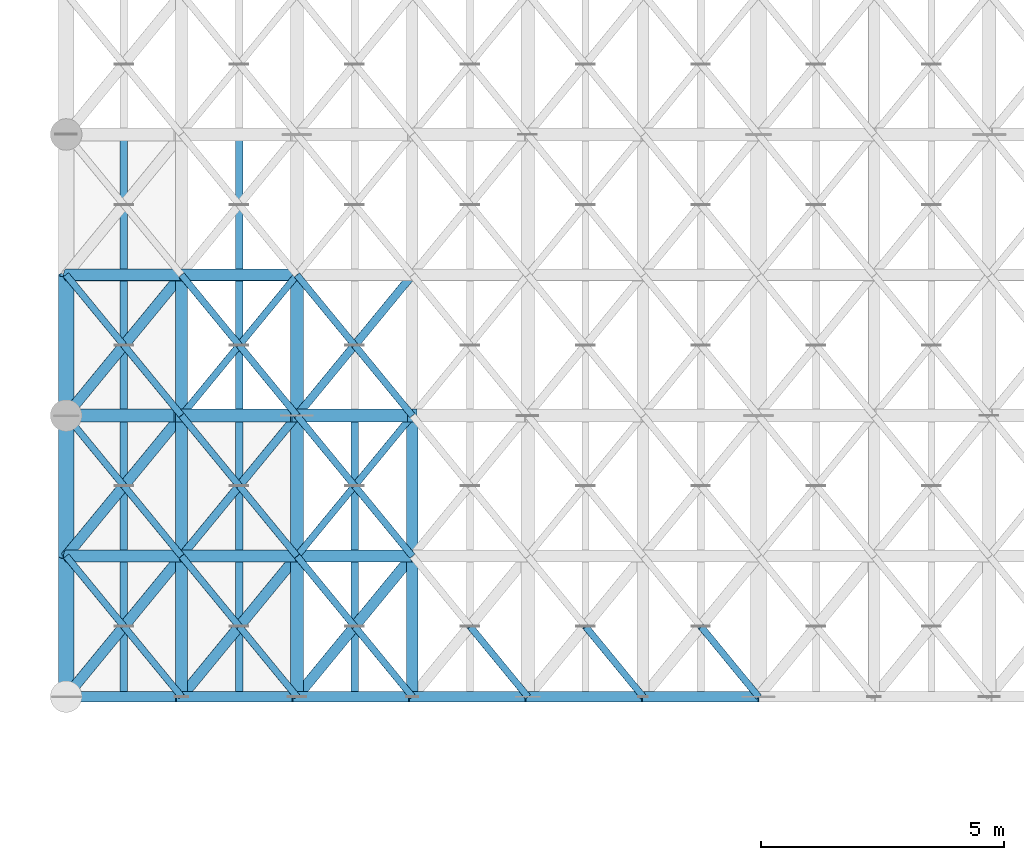
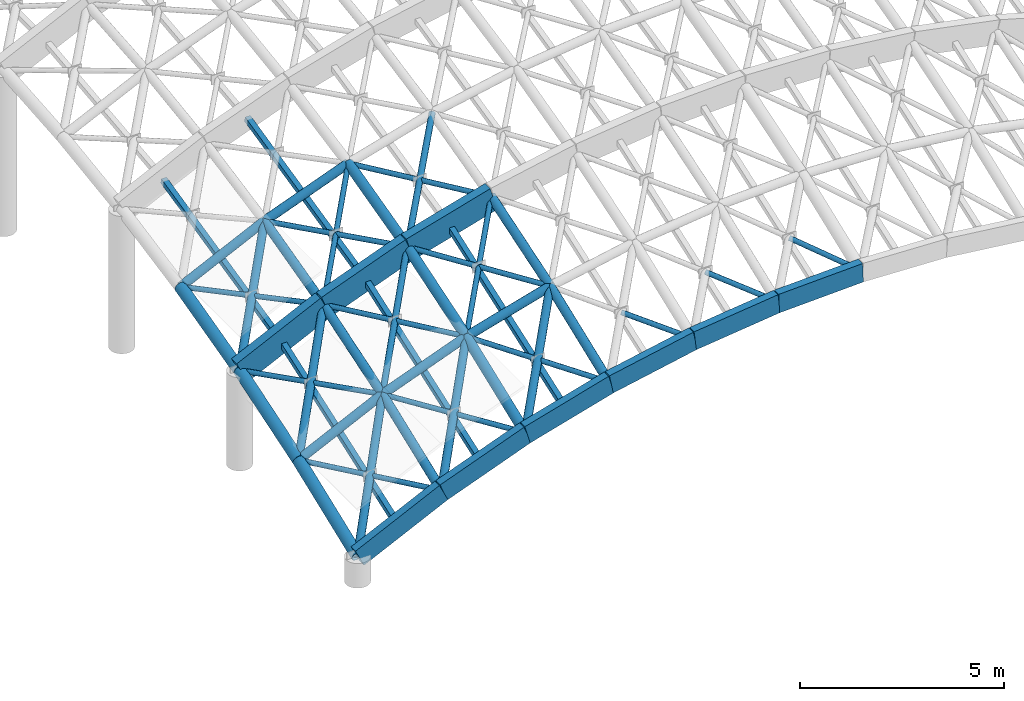
# One storey, part 34 of 146: 51 members, 9 beams.
"""IFC4 building model written with IfcOpenShell, lengths in metres."""

import ifcopenshell
import ifcopenshell.guid

model = None  # the IFC model being written
_history = None  # IfcOwnerHistory: only IFC2X3 demands one
_inside = {}  # id of a spatial element -> (the spatial element, [elements in it])
_under = {}  # id of a project, library or spatial element -> (it, [spatial elements below it])
_declared = {}  # id of a project -> (the project, [libraries it declares])
_typed = {}  # id of a type object -> (the type object, [elements of that type])
_made_of = {}  # id of a material, layer set ... -> (it, [elements and type objects made of it])


def new_model(schema):
    """Start an empty IFC model of exactly this schema.

    Asked for "IFC4X3", IfcOpenShell would pick the latest addendum, in which some entities
    have other attributes; the version numbers below select the first issue.
    IFC2X3 requires an IfcOwnerHistory on every rooted entity: one is made here for all.
    """
    global model, _history
    if schema == "IFC4X3":
        model = ifcopenshell.file(schema_version=(4, 3, 0, 0))
    else:
        model = ifcopenshell.file(schema=schema)
    _inside.clear()
    _under.clear()
    _declared.clear()
    _typed.clear()
    _made_of.clear()
    _history = None
    if model.schema == "IFC2X3":
        org = make("IfcOrganization", Name="unknown")
        user = make(
            "IfcPersonAndOrganization",
            ThePerson=make("IfcPerson", FamilyName="unknown"),
            TheOrganization=org,
        )
        app = make(
            "IfcApplication",
            ApplicationDeveloper=org,
            Version="unknown",
            ApplicationFullName="unknown",
            ApplicationIdentifier="unknown",
        )
        _history = make(
            "IfcOwnerHistory",
            OwningUser=user,
            OwningApplication=app,
            ChangeAction="ADDED",
            CreationDate=0,
        )
    return model


def make(cls, **values):
    """One entity of the class cls with the attributes given. An attribute that is None is left unset."""
    return model.create_entity(
        cls, **{name: value for name, value in values.items() if value is not None}
    )


def rooted(cls, **values):
    """An entity with a GlobalId (a new one), such as an element, a storey or a relation."""
    return make(cls, GlobalId=ifcopenshell.guid.new(), OwnerHistory=_history, **values)


def si_unit(unit_type, name, prefix=None):
    """IfcSIUnit, for example si_unit("LENGTHUNIT", "METRE", prefix="MILLI")."""
    return make("IfcSIUnit", UnitType=unit_type, Prefix=prefix, Name=name)


def assignment(units):
    """IfcUnitAssignment: the units of a project."""
    return None if units is None else make("IfcUnitAssignment", Units=units)


def point(xyz):
    """IfcCartesianPoint."""
    return None if xyz is None else make("IfcCartesianPoint", Coordinates=xyz)


def direction(xyz):
    """IfcDirection."""
    return None if xyz is None else make("IfcDirection", DirectionRatios=xyz)


def frame(location, z_axis=None, x_axis=None):
    """IfcAxis2Placement3D, a coordinate frame: its origin and axes. An axis left out is left unset."""
    return make(
        "IfcAxis2Placement3D",
        Location=point(location),
        Axis=direction(z_axis),
        RefDirection=direction(x_axis),
    )


def frame_2d(location, x_axis=None):
    """IfcAxis2Placement2D, a coordinate frame in the plane: its origin and x axis."""
    return make(
        "IfcAxis2Placement2D", Location=point(location), RefDirection=direction(x_axis)
    )


def origin():
    """The frame at (0, 0, 0) with its axes left unset."""
    return frame((0.0, 0.0, 0.0))


def origin_2d():
    """The frame at (0, 0) in the plane with its x axis left unset."""
    return frame_2d((0.0, 0.0))


def place(relative_to, where):
    """IfcLocalPlacement: puts the frame where relative to a parent placement (None: the world)."""
    return make(
        "IfcLocalPlacement", PlacementRelTo=relative_to, RelativePlacement=where
    )


def context(
    kind, dimensions, precision=None, world=None, true_north=None, identifier=None
):
    """IfcGeometricRepresentationContext, for example the 3D "Model" context."""
    return make(
        "IfcGeometricRepresentationContext",
        ContextIdentifier=identifier,
        ContextType=kind,
        CoordinateSpaceDimension=dimensions,
        Precision=precision,
        WorldCoordinateSystem=world,
        TrueNorth=true_north,
    )


def subcontext(parent, identifier, kind, view, scale=None):
    """IfcGeometricRepresentationSubContext, for example "Body" below "Model"."""
    return make(
        "IfcGeometricRepresentationSubContext",
        ContextIdentifier=identifier,
        ContextType=kind,
        ParentContext=parent,
        TargetScale=scale,
        TargetView=view,
    )


def project(units=None, contexts=None):
    """IfcProject with its units and contexts."""
    return rooted(
        "IfcProject",
        Name="project",
        RepresentationContexts=contexts,
        UnitsInContext=assignment(units),
    )


def spatial(cls, under=None, at=None, **own):
    """A site, building, storey or space (cls), placed at a placement, below another one or the project."""
    s = rooted(cls, ObjectPlacement=at, **own)
    if under is not None:
        _under.setdefault(under.id(), (under, []))[1].append(s)
    return s


def profile(cls, at=None, kind="AREA", **sizes):
    """A parametric profile (cls). Its sizes go by their IFC names, for example OverallWidth=200.0."""
    return make(cls, ProfileType=kind, Position=at, **sizes)


def rectangle(**sizes):
    """IfcRectangleProfileDef."""
    return profile("IfcRectangleProfileDef", **sizes)


def hollow_rectangle(**sizes):
    """IfcRectangleHollowProfileDef."""
    return profile("IfcRectangleHollowProfileDef", **sizes)


def hollow_circle(**sizes):
    """IfcCircleHollowProfileDef."""
    return profile("IfcCircleHollowProfileDef", **sizes)


def extrude(swept, where, along, depth):
    """IfcExtrudedAreaSolid: the profile swept, set in the frame where, extruded along a direction by depth."""
    return make(
        "IfcExtrudedAreaSolid",
        SweptArea=swept,
        Position=where,
        ExtrudedDirection=direction(along),
        Depth=depth,
    )


def shape(context_of_items, identifier, shape_type, items):
    """IfcShapeRepresentation: the items that make up one representation, for example the "Body"."""
    return make(
        "IfcShapeRepresentation",
        ContextOfItems=context_of_items,
        RepresentationIdentifier=identifier,
        RepresentationType=shape_type,
        Items=items,
    )


def material(Name=None, Category=None):
    """IfcMaterial."""
    return make("IfcMaterial", Name=Name, Category=Category)


def material_profile(
    of_material, cross_section, Name=None, Category=None, Priority=None
):
    """IfcMaterialProfile: a cross section and its material."""
    return make(
        "IfcMaterialProfile",
        Name=Name,
        Material=of_material,
        Profile=cross_section,
        Priority=Priority,
        Category=Category,
    )


def profile_set(profiles, Name=None, composite=None):
    """IfcMaterialProfileSet."""
    return make(
        "IfcMaterialProfileSet",
        Name=Name,
        MaterialProfiles=profiles,
        CompositeProfile=composite,
    )


def made_of(thing, what):
    """Note that an element or type object is made of a material, layer set ...; save() writes the relation."""
    if what is not None:
        _made_of.setdefault(what.id(), (what, []))[1].append(thing)
    return thing


def type_object(cls, material=None, **own):
    """A type object (cls), such as IfcWallType, which elements share."""
    return made_of(rooted(cls, **own), material)


def element(
    cls,
    number,
    at=None,
    inside=None,
    cuts=None,
    type_object=None,
    material=None,
    context=None,
    identifier="Body",
    shape_type=None,
    held_by="IfcProductDefinitionShape",
    body=None,
    shapes=None,
    **own,
):
    """One element of the class cls, such as IfcWall. Its Tag is "e" and its number.

    at: its placement. inside: the storey or other place that contains it. cuts: it is an
    opening in that element (IfcRelVoidsElement). A single representation is given by context,
    identifier, shape_type and body (its items); several are given by shapes. held_by: the class
    of the entity that holds the representations. save() writes the other relations.
    """
    e = rooted(cls, Tag="e%d" % number, ObjectPlacement=at, **own)
    if body is not None:
        shapes = [shape(context, identifier, shape_type, body)]
    if shapes is not None:
        e.Representation = make(held_by, Representations=shapes)
    if inside is not None:
        _inside.setdefault(inside.id(), (inside, []))[1].append(e)
    if cuts is not None:
        rooted(
            "IfcRelVoidsElement", RelatingBuildingElement=cuts, RelatedOpeningElement=e
        )
    if type_object is not None:
        _typed.setdefault(type_object.id(), (type_object, []))[1].append(e)
    return made_of(e, material)


def aggregate(whole, parts):
    """IfcRelAggregates: a whole, such as a stair, and the parts it consists of."""
    return rooted("IfcRelAggregates", RelatingObject=whole, RelatedObjects=parts)


def save(model, path):
    """Write the relations noted so far, then the file.

    IfcRelAggregates (storeys below a building ...), IfcRelContainedInSpatialStructure (elements
    in a storey), IfcRelDefinesByType, IfcRelAssociatesMaterial and IfcRelDeclares: one each for
    every whole, place, type object, material and project.
    """
    for whole, parts in _under.values():
        aggregate(whole, parts)
    for where, things in _inside.values():
        rooted(
            "IfcRelContainedInSpatialStructure",
            RelatedElements=things,
            RelatingStructure=where,
        )
    for kind, things in _typed.values():
        rooted("IfcRelDefinesByType", RelatedObjects=things, RelatingType=kind)
    for what, things in _made_of.values():
        rooted("IfcRelAssociatesMaterial", RelatedObjects=things, RelatingMaterial=what)
    for by, libraries in _declared.values():
        rooted("IfcRelDeclares", RelatingContext=by, RelatedDefinitions=libraries)
    model.write(path)


model = new_model("IFC4")

# Units and contexts
model_context = context("Model", 3, precision=1e-05, world=origin(), true_north=direction((0.0, 1.0)))
body_context = subcontext(model_context, "Body", "Model", "MODEL_VIEW")
ifc_project = project(units=[si_unit("LENGTHUNIT", "METRE"), si_unit("AREAUNIT", "SQUARE_METRE"), si_unit("VOLUMEUNIT", "CUBIC_METRE"), si_unit("PLANEANGLEUNIT", "RADIAN"), si_unit("MASSUNIT", "GRAM", prefix="KILO")], contexts=[model_context])

# Site, building, storey
site_placement = place(None, origin())
site = spatial("IfcSite", under=ifc_project, at=site_placement, CompositionType="ELEMENT")
building_placement = place(site_placement, origin())
building = spatial("IfcBuilding", under=site, at=building_placement, Name="Valcora Specialist Clinic", CompositionType="ELEMENT")
storey_placement = place(building_placement, frame((0.0, 0.0, 9.52001953125)))
storey = spatial("IfcBuildingStorey", under=building, at=storey_placement, Name="L02", CompositionType="ELEMENT", Elevation=9.52001953125)

# Beams
ifc_material_1 = material(Name="Glulam Conifer Class 24F", Category="wood")
ifc_material_profile_1 = material_profile(ifc_material_1, rectangle(XDim=0.219970703125, YDim=0.56005859375, at=origin_2d()), Name="GL-ARC-220X560")
ifc_profile_set_1 = profile_set([ifc_material_profile_1], Name="Glulam Conifer Class 24F")
beam_type_1 = type_object("IfcBeamType", Name="TY-AR-GL560", PredefinedType="JOIST", material=ifc_profile_set_1)
beam_1_placement = place(storey_placement, frame((0.75, 38.75, 0.737060546875), z_axis=(0.902189145818, 0.0, 0.431340637048), x_axis=(0.0, 1.0, 0.0)))
element("IfcBeam", 1, at=beam_1_placement, inside=storey, type_object=beam_type_1, Name="Gridshell glulam arch chord BM-GSA-001", PredefinedType="JOIST", context=body_context, shape_type="SweptSolid", body=[
    extrude(rectangle(XDim=0.219970703125, YDim=0.56005859375, at=origin_2d()), origin(), (0.0, 0.0, 1.0), 2.632568359375),
])
beam_2_placement = place(storey_placement, frame((3.125, 38.75, 1.87255859375), z_axis=(0.935695204238, 0.0, 0.352809417059), x_axis=(0.0, 1.0, 0.0)))
element("IfcBeam", 2, at=beam_2_placement, inside=storey, type_object=beam_type_1, Name="Gridshell glulam arch chord BM-GSA-002", PredefinedType="JOIST", context=body_context, shape_type="SweptSolid", body=[
    extrude(rectangle(XDim=0.219970703125, YDim=0.56005859375, at=origin_2d()), origin(), (0.0, 0.0, 1.0), 2.538330078125),
])
beam_3_placement = place(storey_placement, frame((5.5, 38.75, 2.76806640625), z_axis=(0.961613421173, 0.0, 0.274407777259), x_axis=(0.0, 1.0, 0.0)))
element("IfcBeam", 3, at=beam_3_placement, inside=storey, type_object=beam_type_1, Name="Gridshell glulam arch chord BM-GSA-003", PredefinedType="JOIST", context=body_context, shape_type="SweptSolid", body=[
    extrude(rectangle(XDim=0.219970703125, YDim=0.56005859375, at=origin_2d()), origin(), (0.0, 0.0, 1.0), 2.4697265625),
])
beam_4_placement = place(storey_placement, frame((7.875, 38.75, 3.44580078125), z_axis=(0.980592304853, 0.0, 0.19605798036), x_axis=(0.0, 1.0, 0.0)))
element("IfcBeam", 4, at=beam_4_placement, inside=storey, type_object=beam_type_1, Name="Gridshell glulam arch chord BM-GSA-004", PredefinedType="JOIST", context=body_context, shape_type="SweptSolid", body=[
    extrude(rectangle(XDim=0.219970703125, YDim=0.56005859375, at=origin_2d()), origin(), (0.0, 0.0, 1.0), 2.422119140625),
])
beam_5_placement = place(storey_placement, frame((10.25, 38.75, 3.920654296875), z_axis=(0.993061123194, 0.0, 0.117599343536), x_axis=(0.0, 1.0, 0.0)))
element("IfcBeam", 5, at=beam_5_placement, inside=storey, type_object=beam_type_1, Name="Gridshell glulam arch chord BM-GSA-005", PredefinedType="JOIST", context=body_context, shape_type="SweptSolid", body=[
    extrude(rectangle(XDim=0.219970703125, YDim=0.56005859375, at=origin_2d()), origin(), (0.0, 0.0, 1.0), 2.3916015625),
])
beam_6_placement = place(storey_placement, frame((12.625, 38.75, 4.201904296875), z_axis=(0.999229898969, 0.0, 0.039237851707), x_axis=(0.0, 1.0, 0.0)))
element("IfcBeam", 6, at=beam_6_placement, inside=storey, type_object=beam_type_1, Name="Gridshell glulam arch chord BM-GSA-006", PredefinedType="JOIST", context=body_context, shape_type="SweptSolid", body=[
    extrude(rectangle(XDim=0.219970703125, YDim=0.56005859375, at=origin_2d()), origin(), (0.0, 0.0, 1.0), 2.376708984375),
])
ifc_material_profile_2 = material_profile(ifc_material_1, rectangle(XDim=0.260009765625, YDim=0.719970703125, at=origin_2d()), Name="GL-ARC-260X720")
ifc_profile_set_2 = profile_set([ifc_material_profile_2], Name="Glulam Conifer Class 24F")
beam_type_2 = type_object("IfcBeamType", Name="TY-AR-GL720", PredefinedType="JOIST", material=ifc_profile_set_2)
beam_7_placement = place(storey_placement, frame((0.75, 44.535888671875, 2.7900390625), z_axis=(0.902225234529, 0.0, 0.431265146028), x_axis=(0.0, 1.0, 0.0)))
element("IfcBeam", 7, at=beam_7_placement, inside=storey, type_object=beam_type_2, Name="Gridshell glulam arch chord BM-GSA-013", PredefinedType="JOIST", context=body_context, shape_type="SweptSolid", body=[
    extrude(rectangle(XDim=0.260009765625, YDim=0.719970703125, at=origin_2d()), origin(), (0.0, 0.0, 1.0), 2.63232421875),
])
beam_8_placement = place(storey_placement, frame((3.125, 44.535888671875, 3.92529296875), z_axis=(0.935663448479, 0.0, 0.352893625871), x_axis=(0.0, 1.0, 0.0)))
element("IfcBeam", 8, at=beam_8_placement, inside=storey, type_object=beam_type_2, Name="Gridshell glulam arch chord BM-GSA-014", PredefinedType="JOIST", context=body_context, shape_type="SweptSolid", body=[
    extrude(rectangle(XDim=0.260009765625, YDim=0.719970703125, at=origin_2d()), origin(), (0.0, 0.0, 1.0), 2.538330078125),
])
beam_9_placement = place(storey_placement, frame((5.5, 44.535888671875, 4.821044921875), z_axis=(0.961613421173, 0.0, 0.274407777259), x_axis=(0.0, 1.0, 0.0)))
element("IfcBeam", 9, at=beam_9_placement, inside=storey, type_object=beam_type_2, Name="Gridshell glulam arch chord BM-GSA-015", PredefinedType="JOIST", context=body_context, shape_type="SweptSolid", body=[
    extrude(rectangle(XDim=0.260009765625, YDim=0.719970703125, at=origin_2d()), origin(), (0.0, 0.0, 1.0), 2.4697265625),
])

# Members
ifc_material_2 = material(Name="Steel ASTM A500 Grade C", Category="steel")
ifc_material_profile_3 = material_profile(ifc_material_2, hollow_circle(Radius=0.1220703125, WallThickness=0.010009765625, at=origin_2d()), Name="ST-CHS-244X10")
ifc_profile_set_3 = profile_set([ifc_material_profile_3], Name="Steel ASTM A500 Grade C")
member_type_1 = type_object("IfcMemberType", Name="TY-MB-GSC244", PredefinedType="CHORD", material=ifc_profile_set_3)
member_1_placement = place(storey_placement, frame((3.125, 38.75, 1.87255859375), z_axis=(0.0, 0.93227902247, 0.361739995386), x_axis=(-1.0, 0.0, 0.0)))
element("IfcMember", 10, at=member_1_placement, inside=storey, type_object=member_type_1, Name="Gridshell longitudinal chord MB-L02-0015", PredefinedType="CHORD", context=body_context, shape_type="SweptSolid", body=[
    extrude(hollow_circle(Radius=0.1220703125, WallThickness=0.010009765625, at=origin_2d()), origin(), (0.0, 0.0, 1.0), 3.103271484375),
])
member_2_placement = place(storey_placement, frame((3.125, 41.64306640625, 2.9951171875), z_axis=(0.0, 0.95199595387, 0.30611060716), x_axis=(-1.0, 0.0, 0.0)))
element("IfcMember", 11, at=member_2_placement, inside=storey, type_object=member_type_1, Name="Gridshell longitudinal chord MB-L02-0016", PredefinedType="CHORD", context=body_context, shape_type="SweptSolid", body=[
    extrude(hollow_circle(Radius=0.1220703125, WallThickness=0.010009765625, at=origin_2d()), origin(), (0.0, 0.0, 1.0), 3.03857421875),
])
member_3_placement = place(storey_placement, frame((3.125, 44.535888671875, 3.92529296875), z_axis=(0.0, 0.968140082086, 0.250409227983), x_axis=(-1.0, 0.0, 0.0)))
element("IfcMember", 12, at=member_3_placement, inside=storey, type_object=member_type_1, Name="Gridshell longitudinal chord MB-L02-0017", PredefinedType="CHORD", context=body_context, shape_type="SweptSolid", body=[
    extrude(hollow_circle(Radius=0.1220703125, WallThickness=0.010009765625, at=origin_2d()), origin(), (0.0, 0.0, 1.0), 2.98828125),
])
member_4_placement = place(storey_placement, frame((7.875, 38.75, 3.44580078125), z_axis=(0.0, 0.93227902247, 0.361739995386), x_axis=(-1.0, 0.0, 0.0)))
element("IfcMember", 13, at=member_4_placement, inside=storey, type_object=member_type_1, Name="Gridshell longitudinal chord MB-L02-0043", PredefinedType="CHORD", context=body_context, shape_type="SweptSolid", body=[
    extrude(hollow_circle(Radius=0.1220703125, WallThickness=0.010009765625, at=origin_2d()), origin(), (0.0, 0.0, 1.0), 3.103271484375),
])
member_5_placement = place(storey_placement, frame((7.875, 41.64306640625, 4.568359375), z_axis=(0.0, 0.951972538131, 0.306183419936), x_axis=(-1.0, 0.0, 0.0)))
element("IfcMember", 14, at=member_5_placement, inside=storey, type_object=member_type_1, Name="Gridshell longitudinal chord MB-L02-0044", PredefinedType="CHORD", context=body_context, shape_type="SweptSolid", body=[
    extrude(hollow_circle(Radius=0.1220703125, WallThickness=0.010009765625, at=origin_2d()), origin(), (0.0, 0.0, 1.0), 3.038818359375),
])
member_6_placement = place(storey_placement, frame((0.75, 41.64306640625, 1.85986328125), z_axis=(0.902225234529, 0.0, 0.431265146028), x_axis=(0.0, 1.0, 0.0)))
element("IfcMember", 15, at=member_6_placement, inside=storey, type_object=member_type_1, Name="Gridshell secondary transverse chord MB-L02-0267", PredefinedType="CHORD", context=body_context, shape_type="SweptSolid", body=[
    extrude(hollow_circle(Radius=0.1220703125, WallThickness=0.010009765625, at=origin_2d()), origin(), (0.0, 0.0, 1.0), 2.63232421875),
])
member_7_placement = place(storey_placement, frame((3.125, 41.64306640625, 2.9951171875), z_axis=(0.935695204238, 0.0, 0.352809417059), x_axis=(0.0, 1.0, 0.0)))
element("IfcMember", 16, at=member_7_placement, inside=storey, type_object=member_type_1, Name="Gridshell secondary transverse chord MB-L02-0268", PredefinedType="CHORD", context=body_context, shape_type="SweptSolid", body=[
    extrude(hollow_circle(Radius=0.1220703125, WallThickness=0.010009765625, at=origin_2d()), origin(), (0.0, 0.0, 1.0), 2.538330078125),
])
member_8_placement = place(storey_placement, frame((5.5, 41.64306640625, 3.890625), z_axis=(0.961613421173, 0.0, 0.274407777259), x_axis=(0.0, 1.0, 0.0)))
element("IfcMember", 17, at=member_8_placement, inside=storey, type_object=member_type_1, Name="Gridshell secondary transverse chord MB-L02-0269", PredefinedType="CHORD", context=body_context, shape_type="SweptSolid", body=[
    extrude(hollow_circle(Radius=0.1220703125, WallThickness=0.010009765625, at=origin_2d()), origin(), (0.0, 0.0, 1.0), 2.4697265625),
])
member_9_placement = place(storey_placement, frame((0.75, 47.428955078125, 3.538330078125), z_axis=(0.902225234529, 0.0, 0.431265146028), x_axis=(0.0, 1.0, 0.0)))
element("IfcMember", 18, at=member_9_placement, inside=storey, type_object=member_type_1, Name="Gridshell secondary transverse chord MB-L02-0279", PredefinedType="CHORD", context=body_context, shape_type="SweptSolid", body=[
    extrude(hollow_circle(Radius=0.1220703125, WallThickness=0.010009765625, at=origin_2d()), origin(), (0.0, 0.0, 1.0), 2.63232421875),
])
member_10_placement = place(storey_placement, frame((3.125, 47.428955078125, 4.673583984375), z_axis=(0.935663448479, 0.0, 0.352893625871), x_axis=(0.0, 1.0, 0.0)))
element("IfcMember", 19, at=member_10_placement, inside=storey, type_object=member_type_1, Name="Gridshell secondary transverse chord MB-L02-0280", PredefinedType="CHORD", context=body_context, shape_type="SweptSolid", body=[
    extrude(hollow_circle(Radius=0.1220703125, WallThickness=0.010009765625, at=origin_2d()), origin(), (0.0, 0.0, 1.0), 2.538330078125),
])
ifc_material_profile_4 = material_profile(ifc_material_2, hollow_circle(Radius=0.136474609375, WallThickness=0.011962890625, at=origin_2d()), Name="ST-CHS-273X12")
ifc_profile_set_4 = profile_set([ifc_material_profile_4], Name="Steel ASTM A500 Grade C")
member_type_2 = type_object("IfcMemberType", Name="TY-MB-GSC273", PredefinedType="CHORD", material=ifc_profile_set_4)
member_11_placement = place(storey_placement, frame((5.5, 38.75, 2.76806640625), z_axis=(0.0, 0.93227902247, 0.361739995386), x_axis=(-1.0, 0.0, 0.0)))
element("IfcMember", 20, at=member_11_placement, inside=storey, type_object=member_type_2, Name="Gridshell longitudinal chord MB-L02-0029", PredefinedType="CHORD", context=body_context, shape_type="SweptSolid", body=[
    extrude(hollow_circle(Radius=0.136474609375, WallThickness=0.011962890625, at=origin_2d()), origin(), (0.0, 0.0, 1.0), 3.103271484375),
])
member_12_placement = place(storey_placement, frame((5.5, 41.64306640625, 3.890625), z_axis=(0.0, 0.951972538131, 0.306183419936), x_axis=(-1.0, 0.0, 0.0)))
element("IfcMember", 21, at=member_12_placement, inside=storey, type_object=member_type_2, Name="Gridshell longitudinal chord MB-L02-0030", PredefinedType="CHORD", context=body_context, shape_type="SweptSolid", body=[
    extrude(hollow_circle(Radius=0.136474609375, WallThickness=0.011962890625, at=origin_2d()), origin(), (0.0, 0.0, 1.0), 3.038818359375),
])
member_13_placement = place(storey_placement, frame((5.5, 44.535888671875, 4.821044921875), z_axis=(0.0, 0.968140082086, 0.250409227983), x_axis=(-1.0, 0.0, 0.0)))
element("IfcMember", 22, at=member_13_placement, inside=storey, type_object=member_type_2, Name="Gridshell longitudinal chord MB-L02-0031", PredefinedType="CHORD", context=body_context, shape_type="SweptSolid", body=[
    extrude(hollow_circle(Radius=0.136474609375, WallThickness=0.011962890625, at=origin_2d()), origin(), (0.0, 0.0, 1.0), 2.98828125),
])
ifc_material_profile_5 = material_profile(ifc_material_2, hollow_circle(Radius=0.162109375, WallThickness=0.011962890625, at=origin_2d()), Name="ST-CHS-324X12")
ifc_profile_set_5 = profile_set([ifc_material_profile_5], Name="Steel ASTM A500 Grade C")
member_type_3 = type_object("IfcMemberType", Name="TY-MB-GSC324", PredefinedType="CHORD", material=ifc_profile_set_5)
member_14_placement = place(storey_placement, frame((0.75, 38.75, 0.737060546875), z_axis=(0.0, 0.932252488717, 0.361808370938), x_axis=(-1.0, 0.0, 0.0)))
element("IfcMember", 23, at=member_14_placement, inside=storey, type_object=member_type_3, Name="Gridshell longitudinal chord MB-L02-0001", PredefinedType="CHORD", context=body_context, shape_type="SweptSolid", body=[
    extrude(hollow_circle(Radius=0.162109375, WallThickness=0.011962890625, at=origin_2d()), origin(), (0.0, 0.0, 1.0), 3.103271484375),
])
member_15_placement = place(storey_placement, frame((0.75, 41.64306640625, 1.85986328125), z_axis=(0.0, 0.95199595387, 0.30611060716), x_axis=(-1.0, 0.0, 0.0)))
element("IfcMember", 24, at=member_15_placement, inside=storey, type_object=member_type_3, Name="Gridshell longitudinal chord MB-L02-0002", PredefinedType="CHORD", context=body_context, shape_type="SweptSolid", body=[
    extrude(hollow_circle(Radius=0.162109375, WallThickness=0.011962890625, at=origin_2d()), origin(), (0.0, 0.0, 1.0), 3.03857421875),
])
member_16_placement = place(storey_placement, frame((0.75, 44.535888671875, 2.7900390625), z_axis=(0.0, 0.968140082086, 0.250409227983), x_axis=(-1.0, 0.0, 0.0)))
element("IfcMember", 25, at=member_16_placement, inside=storey, type_object=member_type_3, Name="Gridshell longitudinal chord MB-L02-0003", PredefinedType="CHORD", context=body_context, shape_type="SweptSolid", body=[
    extrude(hollow_circle(Radius=0.162109375, WallThickness=0.011962890625, at=origin_2d()), origin(), (0.0, 0.0, 1.0), 2.98828125),
])
ifc_material_profile_6 = material_profile(ifc_material_2, hollow_circle(Radius=0.070068359375, WallThickness=0.006103515625, at=origin_2d()), Name="ST-CHS-140X6")
ifc_profile_set_6 = profile_set([ifc_material_profile_6], Name="Steel ASTM A500 Grade C")
member_type_4 = type_object("IfcMemberType", Name="TY-MB-GSD140", PredefinedType="BRACE", material=ifc_profile_set_6)
member_17_placement = place(storey_placement, frame((3.125, 38.75, 1.87255859375), z_axis=(-0.634504850086, 0.772911438479, -0.003391678886), x_axis=(-0.772915884105, -0.634508499626, 0.0)))
element("IfcMember", 26, at=member_17_placement, inside=storey, type_object=member_type_4, Name="Gridshell split counter diagrid A MB-L02-0352", PredefinedType="BRACE", context=body_context, shape_type="SweptSolid", body=[
    extrude(hollow_circle(Radius=0.070068359375, WallThickness=0.006103515625, at=origin_2d()), origin(), (0.0, 0.0, 1.0), 1.87158203125),
])
member_18_placement = place(storey_placement, frame((3.125, 41.64306640625, 2.9951171875), z_axis=(-0.633558294502, 0.771758407673, -0.054706925101), x_axis=(-0.772915884105, -0.634508499626, 0.0)))
element("IfcMember", 27, at=member_18_placement, inside=storey, type_object=member_type_4, Name="Gridshell split counter diagrid A MB-L02-0354", PredefinedType="BRACE", context=body_context, shape_type="SweptSolid", body=[
    extrude(hollow_circle(Radius=0.070068359375, WallThickness=0.006103515625, at=origin_2d()), origin(), (0.0, 0.0, 1.0), 1.874267578125),
])
member_19_placement = place(storey_placement, frame((3.125, 44.535888671875, 3.92529296875), z_axis=(-0.631148914648, 0.768823462025, -0.102769313405), x_axis=(-0.772915884105, -0.634508499626, 0.0)))
element("IfcMember", 28, at=member_19_placement, inside=storey, type_object=member_type_4, Name="Gridshell split counter diagrid A MB-L02-0356", PredefinedType="BRACE", context=body_context, shape_type="SweptSolid", body=[
    extrude(hollow_circle(Radius=0.070068359375, WallThickness=0.006103515625, at=origin_2d()), origin(), (0.0, 0.0, 1.0), 1.881591796875),
])
member_20_placement = place(storey_placement, frame((5.5, 38.75, 2.76806640625), z_axis=(-0.633344361205, 0.771497808417, 0.060547929268), x_axis=(-0.772915884105, -0.634508499626, 0.0)))
element("IfcMember", 29, at=member_20_placement, inside=storey, type_object=member_type_4, Name="Gridshell split counter diagrid A MB-L02-0380", PredefinedType="BRACE", context=body_context, shape_type="SweptSolid", body=[
    extrude(hollow_circle(Radius=0.070068359375, WallThickness=0.006103515625, at=origin_2d()), origin(), (0.0, 0.0, 1.0), 1.875),
])
member_21_placement = place(storey_placement, frame((5.5, 41.64306640625, 3.890625), z_axis=(-0.634481286154, 0.77288273447, 0.009261548379), x_axis=(-0.772915884105, -0.634508499626, 0.0)))
element("IfcMember", 30, at=member_21_placement, inside=storey, type_object=member_type_4, Name="Gridshell split counter diagrid A MB-L02-0382", PredefinedType="BRACE", context=body_context, shape_type="SweptSolid", body=[
    extrude(hollow_circle(Radius=0.070068359375, WallThickness=0.006103515625, at=origin_2d()), origin(), (0.0, 0.0, 1.0), 1.87158203125),
])
member_22_placement = place(storey_placement, frame((3.125, 44.535888671875, 3.92529296875), z_axis=(0.580941027046, 0.707663566046, 0.402144004536), x_axis=(-0.772915884105, 0.634508499626, 0.0)))
element("IfcMember", 31, at=member_22_placement, inside=storey, type_object=member_type_4, Name="Gridshell primary diagrid MB-L02-0383", PredefinedType="BRACE", context=body_context, shape_type="SweptSolid", body=[
    extrude(hollow_circle(Radius=0.070068359375, WallThickness=0.006103515625, at=origin_2d()), origin(), (0.0, 0.0, 1.0), 4.088134765625),
])
member_23_placement = place(storey_placement, frame((5.5, 44.535888671875, 4.821044921875), z_axis=(-0.634016682193, 0.77231678495, -0.039365344988), x_axis=(-0.772915884105, -0.634508499626, 0.0)))
element("IfcMember", 32, at=member_23_placement, inside=storey, type_object=member_type_4, Name="Gridshell split counter diagrid A MB-L02-0384", PredefinedType="BRACE", context=body_context, shape_type="SweptSolid", body=[
    extrude(hollow_circle(Radius=0.070068359375, WallThickness=0.006103515625, at=origin_2d()), origin(), (0.0, 0.0, 1.0), 1.873046875),
])
member_24_placement = place(storey_placement, frame((7.875, 38.75, 3.44580078125), z_axis=(-0.630074850301, 0.76751510856, 0.118009496017), x_axis=(-0.772915884105, -0.634508499626, 0.0)))
element("IfcMember", 33, at=member_24_placement, inside=storey, type_object=member_type_4, Name="Gridshell split counter diagrid A MB-L02-0408", PredefinedType="BRACE", context=body_context, shape_type="SweptSolid", body=[
    extrude(hollow_circle(Radius=0.070068359375, WallThickness=0.006103515625, at=origin_2d()), origin(), (0.0, 0.0, 1.0), 1.884765625),
])
member_25_placement = place(storey_placement, frame((5.5, 41.64306640625, 3.890625), z_axis=(0.583005016039, 0.710117848997, 0.394762956481), x_axis=(-0.772889622479, 0.634540488436, 0.0)))
element("IfcMember", 34, at=member_25_placement, inside=storey, type_object=member_type_4, Name="Gridshell primary diagrid MB-L02-0409", PredefinedType="BRACE", context=body_context, shape_type="SweptSolid", body=[
    extrude(hollow_circle(Radius=0.070068359375, WallThickness=0.006103515625, at=origin_2d()), origin(), (0.0, 0.0, 1.0), 4.07373046875),
])
member_26_placement = place(storey_placement, frame((7.875, 41.64306640625, 4.568359375), z_axis=(-0.633070370684, 0.771164051461, 0.067289757739), x_axis=(-0.772915884105, -0.634508499626, 0.0)))
element("IfcMember", 35, at=member_26_placement, inside=storey, type_object=member_type_4, Name="Gridshell split counter diagrid A MB-L02-0410", PredefinedType="BRACE", context=body_context, shape_type="SweptSolid", body=[
    extrude(hollow_circle(Radius=0.070068359375, WallThickness=0.006103515625, at=origin_2d()), origin(), (0.0, 0.0, 1.0), 1.875732421875),
])
member_27_placement = place(storey_placement, frame((7.875, 44.535888671875, 5.498779296875), z_axis=(-0.634395020838, 0.772777651823, 0.018911858146), x_axis=(-0.772915884105, -0.634508499626, 0.0)))
element("IfcMember", 36, at=member_27_placement, inside=storey, type_object=member_type_4, Name="Gridshell split counter diagrid A MB-L02-0412", PredefinedType="BRACE", context=body_context, shape_type="SweptSolid", body=[
    extrude(hollow_circle(Radius=0.070068359375, WallThickness=0.006103515625, at=origin_2d()), origin(), (0.0, 0.0, 1.0), 1.871826171875),
])
member_28_placement = place(storey_placement, frame((10.25, 38.75, 3.920654296875), z_axis=(-0.62521010371, 0.761589199112, 0.170570272949), x_axis=(-0.772915884105, -0.634508499626, 0.0)))
element("IfcMember", 37, at=member_28_placement, inside=storey, type_object=member_type_4, Name="Gridshell split counter diagrid A MB-L02-0436", PredefinedType="BRACE", context=body_context, shape_type="SweptSolid", body=[
    extrude(hollow_circle(Radius=0.070068359375, WallThickness=0.006103515625, at=origin_2d()), origin(), (0.0, 0.0, 1.0), 1.8994140625),
])
member_29_placement = place(storey_placement, frame((12.625, 38.75, 4.201904296875), z_axis=(-0.619063790551, 0.75410217085, 0.219294184029), x_axis=(-0.772915884105, -0.634508499626, 0.0)))
element("IfcMember", 38, at=member_29_placement, inside=storey, type_object=member_type_4, Name="Gridshell split counter diagrid A MB-L02-0464", PredefinedType="BRACE", context=body_context, shape_type="SweptSolid", body=[
    extrude(hollow_circle(Radius=0.070068359375, WallThickness=0.006103515625, at=origin_2d()), origin(), (0.0, 0.0, 1.0), 1.918212890625),
])
member_30_placement = place(storey_placement, frame((15.0, 38.75, 4.295166015625), z_axis=(-0.611798320584, 0.745251860498, 0.265146147161), x_axis=(-0.772915884105, -0.634508499626, 0.0)))
element("IfcMember", 39, at=member_30_placement, inside=storey, type_object=member_type_4, Name="Gridshell split counter diagrid A MB-L02-0492", PredefinedType="BRACE", context=body_context, shape_type="SweptSolid", body=[
    extrude(hollow_circle(Radius=0.070068359375, WallThickness=0.006103515625, at=origin_2d()), origin(), (0.0, 0.0, 1.0), 1.94091796875),
])
member_31_placement = place(storey_placement, frame((1.9375, 40.196533203125, 1.8662109375), z_axis=(-0.634504850086, 0.772911438479, -0.003391678886), x_axis=(-0.772915884105, -0.634508499626, 0.0)))
element("IfcMember", 40, at=member_31_placement, inside=storey, type_object=member_type_4, Name="Gridshell split counter diagrid B 1", PredefinedType="BRACE", context=body_context, shape_type="SweptSolid", body=[
    extrude(hollow_circle(Radius=0.070068359375, WallThickness=0.006103515625, at=origin_2d()), origin(), (0.0, 0.0, 1.0), 1.87158203125),
])
member_32_placement = place(storey_placement, frame((1.9375, 43.089599609375, 2.892578125), z_axis=(-0.633621987222, 0.771705726214, -0.054712424884), x_axis=(-0.772863356881, -0.634572479384, 0.0)))
element("IfcMember", 41, at=member_32_placement, inside=storey, type_object=member_type_4, Name="Gridshell split counter diagrid B 2", PredefinedType="BRACE", context=body_context, shape_type="SweptSolid", body=[
    extrude(hollow_circle(Radius=0.070068359375, WallThickness=0.006103515625, at=origin_2d()), origin(), (0.0, 0.0, 1.0), 1.874267578125),
])
member_33_placement = place(storey_placement, frame((1.9375, 45.982421875, 3.73193359375), z_axis=(-0.631140492964, 0.768813203292, -0.102897699614), x_axis=(-0.772915884105, -0.634508499626, 0.0)))
element("IfcMember", 42, at=member_33_placement, inside=storey, type_object=member_type_4, Name="Gridshell split counter diagrid B 3", PredefinedType="BRACE", context=body_context, shape_type="SweptSolid", body=[
    extrude(hollow_circle(Radius=0.070068359375, WallThickness=0.006103515625, at=origin_2d()), origin(), (0.0, 0.0, 1.0), 1.881591796875),
])
member_34_placement = place(storey_placement, frame((4.3125, 40.196533203125, 2.881591796875), z_axis=(-0.633344361205, 0.771497808417, 0.060547929268), x_axis=(-0.772915884105, -0.634508499626, 0.0)))
element("IfcMember", 43, at=member_34_placement, inside=storey, type_object=member_type_4, Name="Gridshell split counter diagrid B 15", PredefinedType="BRACE", context=body_context, shape_type="SweptSolid", body=[
    extrude(hollow_circle(Radius=0.070068359375, WallThickness=0.006103515625, at=origin_2d()), origin(), (0.0, 0.0, 1.0), 1.875),
])
member_35_placement = place(storey_placement, frame((4.3125, 43.089599609375, 3.907958984375), z_axis=(-0.634545257679, 0.772830202814, 0.009262482174), x_axis=(-0.772863356881, -0.634572479384, 0.0)))
element("IfcMember", 44, at=member_35_placement, inside=storey, type_object=member_type_4, Name="Gridshell split counter diagrid B 16", PredefinedType="BRACE", context=body_context, shape_type="SweptSolid", body=[
    extrude(hollow_circle(Radius=0.070068359375, WallThickness=0.006103515625, at=origin_2d()), origin(), (0.0, 0.0, 1.0), 1.871337890625),
])
member_36_placement = place(storey_placement, frame((4.3125, 45.982421875, 4.747314453125), z_axis=(-0.634016682193, 0.77231678495, -0.039365344988), x_axis=(-0.772915884105, -0.634508499626, 0.0)))
element("IfcMember", 45, at=member_36_placement, inside=storey, type_object=member_type_4, Name="Gridshell split counter diagrid B 17", PredefinedType="BRACE", context=body_context, shape_type="SweptSolid", body=[
    extrude(hollow_circle(Radius=0.070068359375, WallThickness=0.006103515625, at=origin_2d()), origin(), (0.0, 0.0, 1.0), 1.873046875),
])
member_37_placement = place(storey_placement, frame((6.6875, 40.196533203125, 3.668212890625), z_axis=(-0.630074850301, 0.76751510856, 0.118009496017), x_axis=(-0.772915884105, -0.634508499626, 0.0)))
element("IfcMember", 46, at=member_37_placement, inside=storey, type_object=member_type_4, Name="Gridshell split counter diagrid B 29", PredefinedType="BRACE", context=body_context, shape_type="SweptSolid", body=[
    extrude(hollow_circle(Radius=0.070068359375, WallThickness=0.006103515625, at=origin_2d()), origin(), (0.0, 0.0, 1.0), 1.884765625),
])
member_38_placement = place(storey_placement, frame((6.6875, 43.089599609375, 4.694580078125), z_axis=(-0.633128364926, 0.77110452998, 0.067426088206), x_axis=(-0.772863356881, -0.634572479384, 0.0)))
element("IfcMember", 47, at=member_38_placement, inside=storey, type_object=member_type_4, Name="Gridshell split counter diagrid B 30", PredefinedType="BRACE", context=body_context, shape_type="SweptSolid", body=[
    extrude(hollow_circle(Radius=0.070068359375, WallThickness=0.006103515625, at=origin_2d()), origin(), (0.0, 0.0, 1.0), 1.87548828125),
])
member_39_placement = place(storey_placement, frame((6.6875, 45.982421875, 5.5341796875), z_axis=(-0.634396580253, 0.772779551398, 0.018781477705), x_axis=(-0.772915884105, -0.634508499626, 0.0)))
element("IfcMember", 48, at=member_39_placement, inside=storey, type_object=member_type_4, Name="Gridshell split counter diagrid B 31", PredefinedType="BRACE", context=body_context, shape_type="SweptSolid", body=[
    extrude(hollow_circle(Radius=0.070068359375, WallThickness=0.006103515625, at=origin_2d()), origin(), (0.0, 0.0, 1.0), 1.871826171875),
])
ifc_material_profile_7 = material_profile(ifc_material_2, hollow_circle(Radius=0.083984375, WallThickness=0.008056640625, at=origin_2d()), Name="ST-CHS-168X8")
ifc_profile_set_7 = profile_set([ifc_material_profile_7], Name="Steel ASTM A500 Grade C")
member_type_5 = type_object("IfcMemberType", Name="TY-MB-GSD168", PredefinedType="BRACE", material=ifc_profile_set_7)
member_40_placement = place(storey_placement, frame((3.125, 41.64306640625, 2.9951171875), z_axis=(0.570296595285, 0.694638605832, 0.438450682169), x_axis=(-0.772889622479, 0.634540488436, 0.0)))
element("IfcMember", 49, at=member_40_placement, inside=storey, type_object=member_type_5, Name="Gridshell primary diagrid MB-L02-0381", PredefinedType="BRACE", context=body_context, shape_type="SweptSolid", body=[
    extrude(hollow_circle(Radius=0.083984375, WallThickness=0.008056640625, at=origin_2d()), origin(), (0.0, 0.0, 1.0), 4.16455078125),
])
member_41_placement = place(storey_placement, frame((5.5, 44.535888671875, 4.821044921875), z_axis=(0.592935150937, 0.722274006846, 0.356017086413), x_axis=(-0.772915884105, 0.634508499626, 0.0)))
element("IfcMember", 50, at=member_41_placement, inside=storey, type_object=member_type_5, Name="Gridshell primary diagrid MB-L02-0411", PredefinedType="BRACE", context=body_context, shape_type="SweptSolid", body=[
    extrude(hollow_circle(Radius=0.083984375, WallThickness=0.008056640625, at=origin_2d()), origin(), (0.0, 0.0, 1.0), 4.005615234375),
])
ifc_material_profile_8 = material_profile(ifc_material_2, hollow_circle(Radius=0.109619140625, WallThickness=0.010009765625, at=origin_2d()), Name="ST-CHS-219X10")
ifc_profile_set_8 = profile_set([ifc_material_profile_8], Name="Steel ASTM A500 Grade C")
member_type_6 = type_object("IfcMemberType", Name="TY-MB-GSD219", PredefinedType="BRACE", material=ifc_profile_set_8)
member_42_placement = place(storey_placement, frame((0.75, 38.75, 0.737060546875), z_axis=(0.543302213499, 0.661814476765, 0.516550387814), x_axis=(-0.772915884105, 0.634508499626, 0.0)))
element("IfcMember", 51, at=member_42_placement, inside=storey, type_object=member_type_6, Name="Gridshell primary diagrid MB-L02-0351", PredefinedType="BRACE", context=body_context, shape_type="SweptSolid", body=[
    extrude(hollow_circle(Radius=0.109619140625, WallThickness=0.010009765625, at=origin_2d()), origin(), (0.0, 0.0, 1.0), 4.371337890625),
])
member_43_placement = place(storey_placement, frame((0.75, 41.64306640625, 1.85986328125), z_axis=(0.555564364485, 0.67669430045, 0.483149108094), x_axis=(-0.772889622479, 0.634540488436, 0.0)))
element("IfcMember", 52, at=member_43_placement, inside=storey, type_object=member_type_6, Name="Gridshell primary diagrid MB-L02-0353", PredefinedType="BRACE", context=body_context, shape_type="SweptSolid", body=[
    extrude(hollow_circle(Radius=0.109619140625, WallThickness=0.010009765625, at=origin_2d()), origin(), (0.0, 0.0, 1.0), 4.27490234375),
])
member_44_placement = place(storey_placement, frame((0.75, 44.535888671875, 2.7900390625), z_axis=(0.56679188261, 0.690428023122, 0.449506514631), x_axis=(-0.772915884105, 0.634508499626, 0.0)))
element("IfcMember", 53, at=member_44_placement, inside=storey, type_object=member_type_6, Name="Gridshell primary diagrid MB-L02-0355", PredefinedType="BRACE", context=body_context, shape_type="SweptSolid", body=[
    extrude(hollow_circle(Radius=0.109619140625, WallThickness=0.010009765625, at=origin_2d()), origin(), (0.0, 0.0, 1.0), 4.190185546875),
])
member_45_placement = place(storey_placement, frame((3.125, 38.75, 1.87255859375), z_axis=(0.558505905222, 0.680334598775, 0.474569265272), x_axis=(-0.772915884105, 0.634508499626, 0.0)))
element("IfcMember", 54, at=member_45_placement, inside=storey, type_object=member_type_6, Name="Gridshell primary diagrid MB-L02-0379", PredefinedType="BRACE", context=body_context, shape_type="SweptSolid", body=[
    extrude(hollow_circle(Radius=0.109619140625, WallThickness=0.010009765625, at=origin_2d()), origin(), (0.0, 0.0, 1.0), 4.25244140625),
])
member_46_placement = place(storey_placement, frame((5.5, 38.75, 2.76806640625), z_axis=(0.571807725967, 0.696537988559, 0.433440601488), x_axis=(-0.772915884105, 0.634508499626, 0.0)))
element("IfcMember", 55, at=member_46_placement, inside=storey, type_object=member_type_6, Name="Gridshell primary diagrid MB-L02-0407", PredefinedType="BRACE", context=body_context, shape_type="SweptSolid", body=[
    extrude(hollow_circle(Radius=0.109619140625, WallThickness=0.010009765625, at=origin_2d()), origin(), (0.0, 0.0, 1.0), 4.153564453125),
])
ifc_material_profile_9 = material_profile(ifc_material_2, hollow_rectangle(XDim=0.14990234375, YDim=0.14990234375, WallThickness=0.006103515625, at=origin_2d()), Name="ST-RHS-150X150X6")
ifc_profile_set_9 = profile_set([ifc_material_profile_9], Name="Steel ASTM A500 Grade C")
member_type_7 = type_object("IfcMemberType", Name="TY-MB-PR150", PredefinedType="PURLIN", material=ifc_profile_set_9)
member_47_placement = place(storey_placement, frame((1.93798828125, 38.75, 1.184814453125), z_axis=(0.0, 0.942444320141, 0.334363131092), x_axis=(-1.0, 0.0, 0.0)))
element("IfcMember", 56, at=member_47_placement, inside=storey, type_object=member_type_7, Name="Gridshell secondary purlin MB-L02-0183", PredefinedType="PURLIN", context=body_context, shape_type="SweptSolid", body=[
    extrude(hollow_rectangle(XDim=0.14990234375, YDim=0.14990234375, WallThickness=0.006103515625, at=origin_2d()), origin(), (0.0, 0.0, 1.0), 6.13916015625),
])
member_48_placement = place(storey_placement, frame((1.93798828125, 44.535888671875, 3.237548828125), z_axis=(0.0, 0.974842673844, 0.22289405836), x_axis=(-1.0, 0.0, 0.0)))
element("IfcMember", 57, at=member_48_placement, inside=storey, type_object=member_type_7, Name="Gridshell secondary purlin MB-L02-0184", PredefinedType="PURLIN", context=body_context, shape_type="SweptSolid", body=[
    extrude(hollow_rectangle(XDim=0.14990234375, YDim=0.14990234375, WallThickness=0.006103515625, at=origin_2d()), origin(), (0.0, 0.0, 1.0), 5.9345703125),
])
member_49_placement = place(storey_placement, frame((4.31201171875, 38.75, 2.2001953125), z_axis=(0.0, 0.942431788241, 0.33439845172), x_axis=(-1.0, 0.0, 0.0)))
element("IfcMember", 58, at=member_49_placement, inside=storey, type_object=member_type_7, Name="Gridshell secondary purlin MB-L02-0190", PredefinedType="PURLIN", context=body_context, shape_type="SweptSolid", body=[
    extrude(hollow_rectangle(XDim=0.14990234375, YDim=0.14990234375, WallThickness=0.006103515625, at=origin_2d()), origin(), (0.0, 0.0, 1.0), 6.139404296875),
])
member_50_placement = place(storey_placement, frame((4.31201171875, 44.535888671875, 4.253173828125), z_axis=(0.0, 0.974842673844, 0.22289405836), x_axis=(-1.0, 0.0, 0.0)))
element("IfcMember", 59, at=member_50_placement, inside=storey, type_object=member_type_7, Name="Gridshell secondary purlin MB-L02-0191", PredefinedType="PURLIN", context=body_context, shape_type="SweptSolid", body=[
    extrude(hollow_rectangle(XDim=0.14990234375, YDim=0.14990234375, WallThickness=0.006103515625, at=origin_2d()), origin(), (0.0, 0.0, 1.0), 5.9345703125),
])
member_51_placement = place(storey_placement, frame((6.68798828125, 38.75, 2.987060546875), z_axis=(0.0, 0.942444320141, 0.334363131092), x_axis=(-1.0, 0.0, 0.0)))
element("IfcMember", 60, at=member_51_placement, inside=storey, type_object=member_type_7, Name="Gridshell secondary purlin MB-L02-0197", PredefinedType="PURLIN", context=body_context, shape_type="SweptSolid", body=[
    extrude(hollow_rectangle(XDim=0.14990234375, YDim=0.14990234375, WallThickness=0.006103515625, at=origin_2d()), origin(), (0.0, 0.0, 1.0), 6.13916015625),
])

save(model, "model.ifc")
